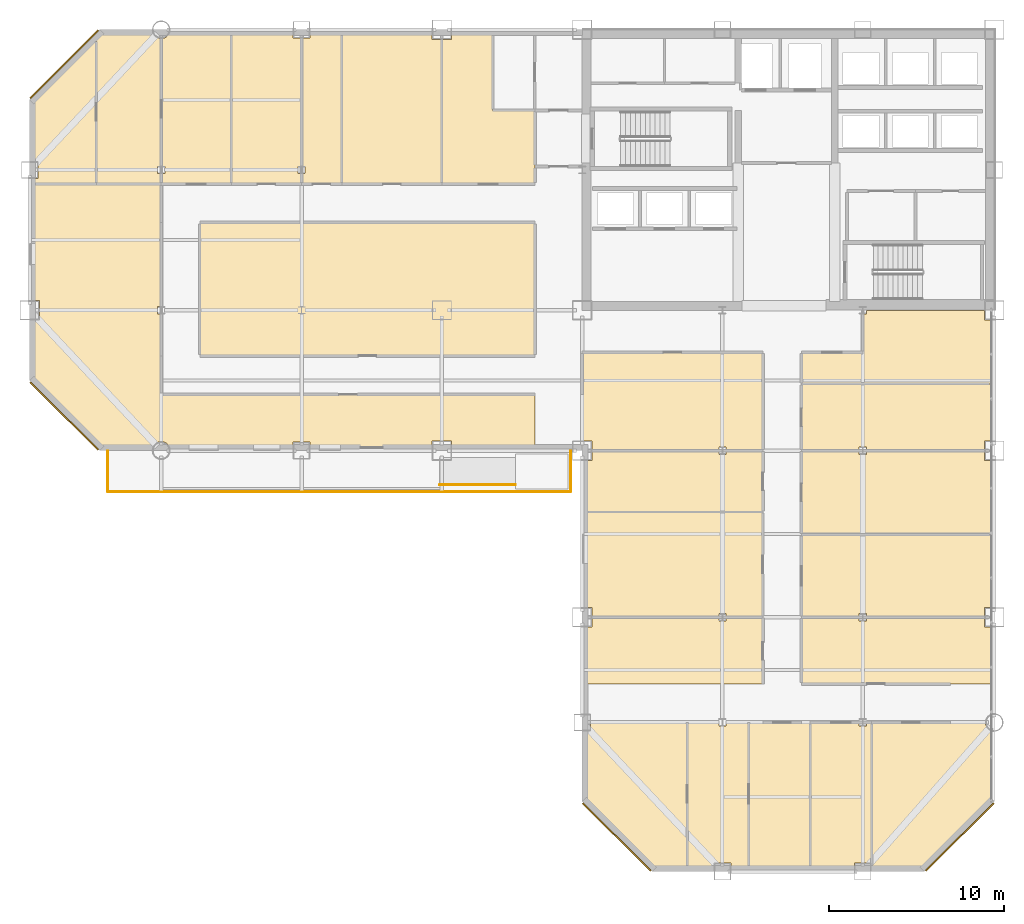
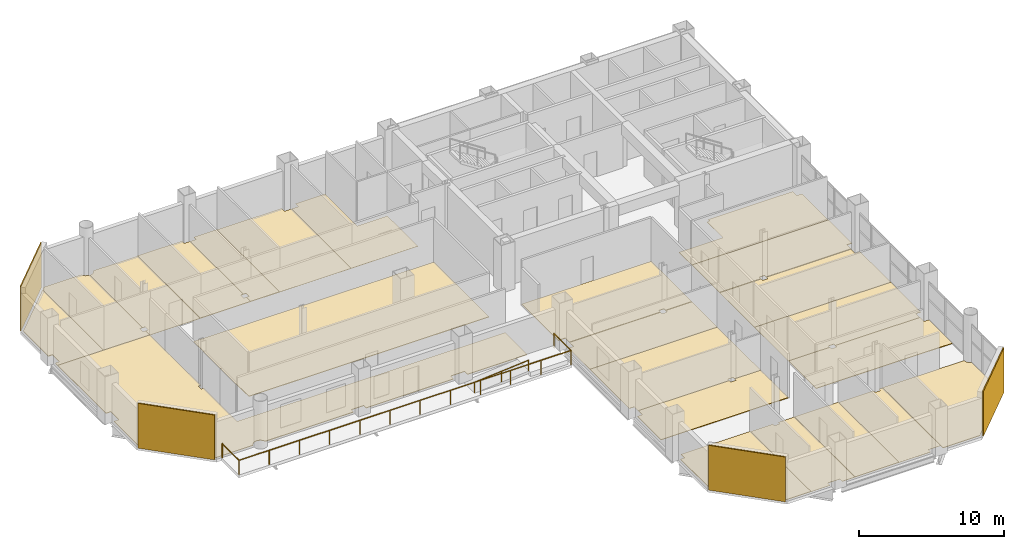
# One storey, part 15 of 16: 27 coverings, 2 railings.
"""IFC4 building model written with IfcOpenShell, lengths in metres."""

from ifc_helpers import new_model, si_unit, direction, frame, origin, origin_2d, place, context, subcontext, project, spatial, polyline, rectangle, circle, outline, extrude, material, layer, layer_set, type_object, element, save


model = new_model("IFC4")

# Units and contexts
model_context = context("Model", 3, precision=1e-05, world=origin(), true_north=direction((0.0, 1.0)))
body_context = subcontext(model_context, "Body", "Model", "MODEL_VIEW")
ifc_project = project(units=[si_unit("LENGTHUNIT", "METRE"), si_unit("AREAUNIT", "SQUARE_METRE"), si_unit("VOLUMEUNIT", "CUBIC_METRE"), si_unit("PLANEANGLEUNIT", "RADIAN"), si_unit("MASSUNIT", "GRAM", prefix="KILO")], contexts=[model_context])

# Site, building, storey
site_placement = place(None, origin())
site = spatial("IfcSite", under=ifc_project, at=site_placement, CompositionType="ELEMENT")
building_placement = place(site_placement, origin())
building = spatial("IfcBuilding", under=site, at=building_placement, Name="Qianrong Seaharbour Tower", CompositionType="ELEMENT")
storey_placement = place(building_placement, frame((0.0, 0.0, 119.0)))
storey = spatial("IfcBuildingStorey", under=building, at=storey_placement, Name="L28", CompositionType="ELEMENT", Elevation=119.0)

# Coverings
ifc_material_1 = material(Name="Unitised red brick cladding on Precast concrete C45/55", Category="masonry")
ifc_layer_1 = layer(ifc_material_1, 0.080078125)
ifc_layer_set_1 = layer_set([ifc_layer_1], Name="Unitised red brick cladding on Precast concrete C45/55")
covering_type_1 = type_object("IfcCoveringType", Name="COV-CLAD-RED-BRICK-80", PredefinedType="CLADDING", material=ifc_layer_set_1)
for number, where, z_axis, x_axis, name in (
    (1, (10.9716796875, 29.9716796875, 0.0), (0.0, 0.0, 1.0), (-0.707106781187, 0.707106781187, 0.0), "L28 Chamfer Corner Brick Cladding 02"),
    (2, (10.9716796875, 50.0283203125, 0.0), (0.0, 0.0, 1.0), (0.707106781187, 0.707106781187, 0.0), "L28 Chamfer Corner Brick Cladding 04"),
    (3, (62.0283203125, 5.9716796875, 0.0), (0.0, 0.0, 1.0), (-0.707106781187, -0.707106781187, 0.0), "L28 Chamfer Corner Brick Cladding 07"),
    (4, (42.4716796875, 5.9716796875, 0.0), (0.0, 0.0, 1.0), (-0.707106781187, 0.707106781187, 0.0), "L28 Chamfer Corner Brick Cladding 09"),
):
    element("IfcCovering", number, at=place(storey_placement, frame(where, z_axis=z_axis, x_axis=x_axis)), inside=storey, type_object=covering_type_1, Name=name, PredefinedType="CLADDING", context=body_context, shape_type="SweptSolid", body=[
        extrude(rectangle(XDim=5.456787109375, YDim=0.080078125, at=origin_2d()), origin(), (0.0, 0.0, 1.0), 3.764892578125),
    ])
ifc_material_2 = material(Name="Acoustic modular carpet tile flooring")
ifc_layer_2 = layer(ifc_material_2, 0.02001953125)
ifc_layer_set_2 = layer_set([ifc_layer_2], Name="Acoustic modular carpet tile flooring")
covering_type_2 = type_object("IfcCoveringType", Name="COV-FLOOR-CARPET-20", PredefinedType="FLOORING", material=ifc_layer_set_2)
covering_1_placement = place(storey_placement, origin())
element("IfcCovering", 5, at=covering_1_placement, inside=storey, type_object=covering_type_2, Name="L28 Focus Room 2 Finish Flooring", PredefinedType="FLOORING", context=body_context, shape_type="SweptSolid", body=[
    extrude(outline(polyline([(12.800048828125, 51.566650390625), (13.068359375, 51.8349609375), (16.019775390625, 51.8349609375), (16.02880859375, 51.8046875), (16.075927734375, 51.716796875), (16.139404296875, 51.639404296875), (16.216796875, 51.575927734375), (16.3046875, 51.52880859375), (16.400390625, 51.499755859375), (16.5, 51.489990234375), (16.5, 44.2099609375), (16.2900390625, 44.2099609375), (16.2900390625, 43.7900390625), (16.5, 43.7900390625), (16.5, 43.199951171875), (12.800048828125, 43.199951171875), (12.800048828125, 51.566650390625)])), origin(), (0.0, 0.0, 1.0), 0.02001953125),
])
covering_2_placement = place(storey_placement, origin())
element("IfcCovering", 6, at=covering_2_placement, inside=storey, type_object=covering_type_2, Name="L28 Meeting Room 3 Finish Flooring", PredefinedType="FLOORING", context=body_context, shape_type="SweptSolid", body=[
    extrude(outline(polyline([(16.5, 43.7900390625), (16.7099609375, 43.7900390625), (16.7099609375, 44.2099609375), (16.5, 44.2099609375), (16.5, 51.489990234375), (16.599609375, 51.499755859375), (16.6953125, 51.52880859375), (16.783203125, 51.575927734375), (16.860595703125, 51.639404296875), (16.924072265625, 51.716796875), (16.97119140625, 51.8046875), (16.980224609375, 51.8349609375), (20.5, 51.8349609375), (20.5, 43.199951171875), (16.5, 43.199951171875), (16.5, 43.7900390625)])), origin(), (0.0, 0.0, 1.0), 0.02001953125),
])
covering_3_placement = place(storey_placement, origin())
element("IfcCovering", 7, at=covering_3_placement, inside=storey, type_object=covering_type_2, Name="L28 Focus Room 6 Finish Flooring", PredefinedType="FLOORING", context=body_context, shape_type="SweptSolid", body=[
    extrude(outline(polyline([(26.800048828125, 51.8349609375), (31.93994140625, 51.8349609375), (31.93994140625, 51.43994140625), (32.5, 51.43994140625), (32.5, 43.199951171875), (26.800048828125, 43.199951171875), (26.800048828125, 51.8349609375)])), origin(), (0.0, 0.0, 1.0), 0.02001953125),
])
covering_4_placement = place(storey_placement, origin())
element("IfcCovering", 8, at=covering_4_placement, inside=storey, type_object=covering_type_2, Name="L28 Meeting Room 7 Finish Flooring", PredefinedType="FLOORING", context=body_context, shape_type="SweptSolid", body=[
    extrude(outline(polyline([(32.5, 51.43994140625), (33.06005859375, 51.43994140625), (33.06005859375, 51.8349609375), (35.39990234375, 51.8349609375), (35.39990234375, 47.39990234375), (37.800048828125, 47.39990234375), (37.800048828125, 43.199951171875), (32.5, 43.199951171875), (32.5, 51.43994140625)])), origin(), (0.0, 0.0, 1.0), 0.02001953125),
])
covering_5_placement = place(storey_placement, origin())
element("IfcCovering", 9, at=covering_5_placement, inside=storey, type_object=covering_type_2, Name="L28 Boardroom 2 Finish Flooring", PredefinedType="FLOORING", context=body_context, shape_type="SweptSolid", body=[
    extrude(outline(polyline([(63.8349609375, 23.199951171875), (63.8349609375, 19.06005859375), (63.43994140625, 19.06005859375), (63.43994140625, 18.5), (56.7099609375, 18.5), (56.7099609375, 18.7099609375), (56.2900390625, 18.7099609375), (56.2900390625, 18.5), (53.0, 18.5), (53.0, 23.199951171875), (63.8349609375, 23.199951171875)])), origin(), (0.0, 0.0, 1.0), 0.02001953125),
])
covering_6_placement = place(storey_placement, origin())
element("IfcCovering", 10, at=covering_6_placement, inside=storey, type_object=covering_type_2, Name="L28 Focus Room 3 Finish Flooring", PredefinedType="FLOORING", context=body_context, shape_type="SweptSolid", body=[
    extrude(outline(polyline([(56.2900390625, 28.0), (56.2900390625, 27.7900390625), (56.7099609375, 27.7900390625), (56.7099609375, 28.0), (63.43994140625, 28.0), (63.43994140625, 27.43994140625), (63.8349609375, 27.43994140625), (63.8349609375, 23.199951171875), (53.0, 23.199951171875), (53.0, 28.0), (56.2900390625, 28.0)])), origin(), (0.0, 0.0, 1.0), 0.02001953125),
])
covering_7_placement = place(storey_placement, origin())
element("IfcCovering", 11, at=covering_7_placement, inside=storey, type_object=covering_type_2, Name="L28 Boardroom 5 Finish Flooring", PredefinedType="FLOORING", context=body_context, shape_type="SweptSolid", body=[
    extrude(outline(polyline([(56.5, 33.60009765625), (56.5, 35.7900390625), (56.7099609375, 35.7900390625), (56.7099609375, 36.0), (63.43994140625, 36.0), (63.43994140625, 35.43994140625), (63.8349609375, 35.43994140625), (63.8349609375, 31.800048828125), (53.0, 31.800048828125), (53.0, 33.60009765625), (56.5, 33.60009765625)])), origin(), (0.0, 0.0, 1.0), 0.02001953125),
])
covering_8_placement = place(storey_placement, origin())
element("IfcCovering", 12, at=covering_8_placement, inside=storey, type_object=covering_type_2, Name="L28 Wet Pantry 2 Finish Flooring", PredefinedType="FLOORING", context=body_context, shape_type="SweptSolid", body=[
    extrude(outline(polyline([(48.7099609375, 18.5), (48.7099609375, 18.7099609375), (48.2900390625, 18.7099609375), (48.2900390625, 18.5), (41.06005859375, 18.5), (41.06005859375, 19.06005859375), (40.6650390625, 19.06005859375), (40.6650390625, 24.5), (50.800048828125, 24.5), (50.800048828125, 18.5), (48.7099609375, 18.5)])), origin(), (0.0, 0.0, 1.0), 0.02001953125),
])
covering_9_placement = place(storey_placement, origin())
element("IfcCovering", 13, at=covering_9_placement, inside=storey, type_object=covering_type_2, Name="L28 Focus Room 3 Finish Flooring", PredefinedType="FLOORING", context=body_context, shape_type="SweptSolid", body=[
    extrude(outline(polyline([(40.6650390625, 24.5), (40.6650390625, 27.43994140625), (41.06005859375, 27.43994140625), (41.06005859375, 28.0), (48.2900390625, 28.0), (48.2900390625, 27.7900390625), (48.7099609375, 27.7900390625), (48.7099609375, 28.0), (50.800048828125, 28.0), (50.800048828125, 24.5), (40.6650390625, 24.5)])), origin(), (0.0, 0.0, 1.0), 0.02001953125),
])
covering_10_placement = place(storey_placement, origin())
element("IfcCovering", 14, at=covering_10_placement, inside=storey, type_object=covering_type_2, Name="L28 Meeting Room 2 Finish Flooring", PredefinedType="FLOORING", context=body_context, shape_type="SweptSolid", body=[
    extrude(outline(polyline([(50.0, 4.1650390625), (48.985107421875, 4.1650390625), (48.985107421875, 4.485107421875), (48.014892578125, 4.485107421875), (48.014892578125, 4.1650390625), (46.5, 4.1650390625), (46.5, 12.5), (48.2900390625, 12.5), (48.2900390625, 12.2900390625), (48.7099609375, 12.2900390625), (48.7099609375, 12.5), (50.0, 12.5), (50.0, 4.1650390625)])), origin(), (0.0, 0.0, 1.0), 0.02001953125),
])
covering_11_placement = place(storey_placement, origin())
element("IfcCovering", 15, at=covering_11_placement, inside=storey, type_object=covering_type_2, Name="L28 Meeting Room 4 Finish Flooring", PredefinedType="FLOORING", context=body_context, shape_type="SweptSolid", body=[
    extrude(outline(polyline([(57.0, 4.485107421875), (56.014892578125, 4.485107421875), (56.014892578125, 4.1650390625), (53.5, 4.1650390625), (53.5, 12.5), (56.2900390625, 12.5), (56.2900390625, 12.2900390625), (56.7099609375, 12.2900390625), (56.7099609375, 12.5), (57.0, 12.5), (57.0, 4.485107421875)])), origin(), (0.0, 0.0, 1.0), 0.02001953125),
])
ifc_material_3 = material(Name="Calcium-sulphate raised access floor tile")
ifc_layer_3 = layer(ifc_material_3, 0.044921875)
ifc_layer_set_3 = layer_set([ifc_layer_3], Name="Calcium-sulphate raised access floor tile")
covering_type_3 = type_object("IfcCoveringType", Name="COV-FLOOR-RAISED-45", PredefinedType="FLOORING", material=ifc_layer_set_3)
covering_12_placement = place(storey_placement, origin())
element("IfcCovering", 16, at=covering_12_placement, inside=storey, type_object=covering_type_3, Name="L28 Open-Plan Office Finish Flooring", PredefinedType="FLOORING", context=body_context, shape_type="SweptSolid", body=[
    extrude(outline(polyline([(33.06005859375, 28.1650390625), (33.06005859375, 28.56005859375), (31.93994140625, 28.56005859375), (31.93994140625, 28.1650390625), (24.985107421875, 28.1650390625), (24.985107421875, 28.485107421875), (24.014892578125, 28.485107421875), (24.014892578125, 28.1650390625), (16.980224609375, 28.1650390625), (16.97119140625, 28.1953125), (16.924072265625, 28.283203125), (16.860595703125, 28.360595703125), (16.783203125, 28.424072265625), (16.6953125, 28.47119140625), (16.599609375, 28.500244140625), (16.5, 28.510009765625), (16.400390625, 28.500244140625), (16.3046875, 28.47119140625), (16.216796875, 28.424072265625), (16.139404296875, 28.360595703125), (16.075927734375, 28.283203125), (16.02880859375, 28.1953125), (16.019775390625, 28.1650390625), (13.068359375, 28.1650390625), (9.1650390625, 32.068359375), (9.1650390625, 35.43994140625), (9.56005859375, 35.43994140625), (9.56005859375, 36.56005859375), (9.1650390625, 36.56005859375), (9.1650390625, 43.199951171875), (16.5, 43.199951171875), (16.5, 36.2099609375), (16.2900390625, 36.2099609375), (16.2900390625, 35.7900390625), (16.5, 35.7900390625), (16.5, 31.199951171875), (37.800048828125, 31.199951171875), (37.800048828125, 28.1650390625), (33.06005859375, 28.1650390625)])), origin(), (0.0, 0.0, 1.0), 0.044921875),
])
covering_13_placement = place(storey_placement, origin())
element("IfcCovering", 17, at=covering_13_placement, inside=storey, type_object=covering_type_3, Name="L28 West Wing Open-Plan Office Finish Flooring", PredefinedType="FLOORING", context=body_context, shape_type="SweptSolid", body=[
    extrude(outline(polyline([(37.800048828125, 41.0), (37.800048828125, 33.39990234375), (18.699951171875, 33.39990234375), (18.699951171875, 41.0), (37.800048828125, 41.0)])), origin(), (0.0, 0.0, 1.0), 0.044921875),
])
covering_14_placement = place(storey_placement, origin())
element("IfcCovering", 18, at=covering_14_placement, inside=storey, type_object=covering_type_3, Name="L28 Executive Office 1 Finish Flooring", PredefinedType="FLOORING", context=body_context, shape_type="SweptSolid", body=[
    extrude(outline(polyline([(9.1650390625, 43.514892578125), (9.485107421875, 43.514892578125), (9.485107421875, 44.485107421875), (9.1650390625, 44.485107421875), (9.1650390625, 47.931640625), (12.800048828125, 51.566650390625), (12.800048828125, 43.199951171875), (9.1650390625, 43.199951171875), (9.1650390625, 43.514892578125)])), origin(), (0.0, 0.0, 1.0), 0.044921875),
])
covering_15_placement = place(storey_placement, origin())
element("IfcCovering", 19, at=covering_15_placement, inside=storey, type_object=covering_type_3, Name="L28 Executive Office 4 Finish Flooring", PredefinedType="FLOORING", context=body_context, shape_type="SweptSolid", body=[
    extrude(outline(polyline([(20.5, 51.8349609375), (24.014892578125, 51.8349609375), (24.014892578125, 51.514892578125), (24.5, 51.514892578125), (24.5, 44.2099609375), (24.2900390625, 44.2099609375), (24.2900390625, 43.7900390625), (24.5, 43.7900390625), (24.5, 43.199951171875), (20.5, 43.199951171875), (20.5, 51.8349609375)])), origin(), (0.0, 0.0, 1.0), 0.044921875),
])
covering_16_placement = place(storey_placement, origin())
element("IfcCovering", 20, at=covering_16_placement, inside=storey, type_object=covering_type_3, Name="L28 Executive Office 5 Finish Flooring", PredefinedType="FLOORING", context=body_context, shape_type="SweptSolid", body=[
    extrude(outline(polyline([(24.5, 43.7900390625), (24.7099609375, 43.7900390625), (24.7099609375, 44.2099609375), (24.5, 44.2099609375), (24.5, 51.514892578125), (24.985107421875, 51.514892578125), (24.985107421875, 51.8349609375), (26.800048828125, 51.8349609375), (26.800048828125, 43.199951171875), (24.5, 43.199951171875), (24.5, 43.7900390625)])), origin(), (0.0, 0.0, 1.0), 0.044921875),
])
covering_17_placement = place(storey_placement, origin())
element("IfcCovering", 21, at=covering_17_placement, inside=storey, type_object=covering_type_3, Name="L28 Executive Office 1 Finish Flooring", PredefinedType="FLOORING", context=body_context, shape_type="SweptSolid", body=[
    extrude(outline(polyline([(56.2900390625, 18.5), (56.2900390625, 18.2900390625), (56.7099609375, 18.2900390625), (56.7099609375, 18.5), (63.43994140625, 18.5), (63.43994140625, 17.93994140625), (63.8349609375, 17.93994140625), (63.8349609375, 14.699951171875), (53.0, 14.699951171875), (53.0, 18.5), (56.2900390625, 18.5)])), origin(), (0.0, 0.0, 1.0), 0.044921875),
])
covering_18_placement = place(storey_placement, origin())
element("IfcCovering", 22, at=covering_18_placement, inside=storey, type_object=covering_type_3, Name="L28 Executive Office 4 Finish Flooring", PredefinedType="FLOORING", context=body_context, shape_type="SweptSolid", body=[
    extrude(outline(polyline([(63.8349609375, 31.800048828125), (63.8349609375, 28.56005859375), (63.43994140625, 28.56005859375), (63.43994140625, 28.0), (56.7099609375, 28.0), (56.7099609375, 28.2099609375), (56.2900390625, 28.2099609375), (56.2900390625, 28.0), (53.0, 28.0), (53.0, 31.800048828125), (63.8349609375, 31.800048828125)])), origin(), (0.0, 0.0, 1.0), 0.044921875),
])
covering_19_placement = place(storey_placement, origin())
element("IfcCovering", 23, at=covering_19_placement, inside=storey, type_object=covering_type_3, Name="L28 Executive Office 1 Finish Flooring", PredefinedType="FLOORING", context=body_context, shape_type="SweptSolid", body=[
    extrude(outline(polyline([(40.6650390625, 14.699951171875), (40.6650390625, 17.93994140625), (41.06005859375, 17.93994140625), (41.06005859375, 18.5), (48.2900390625, 18.5), (48.2900390625, 18.2900390625), (48.7099609375, 18.2900390625), (48.7099609375, 18.5), (50.800048828125, 18.5), (50.800048828125, 14.699951171875), (40.6650390625, 14.699951171875)])), origin(), (0.0, 0.0, 1.0), 0.044921875),
])
covering_20_placement = place(storey_placement, origin())
element("IfcCovering", 24, at=covering_20_placement, inside=storey, type_object=covering_type_3, Name="L28 Executive Office 4 Finish Flooring", PredefinedType="FLOORING", context=body_context, shape_type="SweptSolid", body=[
    extrude(outline(polyline([(50.800048828125, 28.0), (48.7099609375, 28.0), (48.7099609375, 28.2099609375), (48.2900390625, 28.2099609375), (48.2900390625, 28.0), (41.06005859375, 28.0), (41.06005859375, 28.56005859375), (40.5, 28.56005859375), (40.5, 33.60009765625), (50.800048828125, 33.60009765625), (50.800048828125, 28.0)])), origin(), (0.0, 0.0, 1.0), 0.044921875),
])
covering_21_placement = place(storey_placement, origin())
element("IfcCovering", 25, at=covering_21_placement, inside=storey, type_object=covering_type_3, Name="L28 Executive Office 1 Finish Flooring", PredefinedType="FLOORING", context=body_context, shape_type="SweptSolid", body=[
    extrude(outline(polyline([(44.568359375, 4.1650390625), (40.6650390625, 8.068359375), (40.6650390625, 12.014892578125), (40.985107421875, 12.014892578125), (40.985107421875, 12.5), (46.5, 12.5), (46.5, 4.1650390625), (44.568359375, 4.1650390625)])), origin(), (0.0, 0.0, 1.0), 0.044921875),
])
covering_22_placement = place(storey_placement, origin())
element("IfcCovering", 26, at=covering_22_placement, inside=storey, type_object=covering_type_3, Name="L28 Executive Office 3 Finish Flooring", PredefinedType="FLOORING", context=body_context, shape_type="SweptSolid", body=[
    extrude(outline(polyline([(53.5, 4.1650390625), (50.0, 4.1650390625), (50.0, 12.5), (53.5, 12.5), (53.5, 4.1650390625)])), origin(), (0.0, 0.0, 1.0), 0.044921875),
])
covering_23_placement = place(storey_placement, origin())
element("IfcCovering", 27, at=covering_23_placement, inside=storey, type_object=covering_type_3, Name="L28 Executive Office 5 Finish Flooring", PredefinedType="FLOORING", context=body_context, shape_type="SweptSolid", body=[
    extrude(outline(polyline([(63.8349609375, 8.068359375), (59.931640625, 4.1650390625), (57.0, 4.1650390625), (57.0, 12.5), (63.489990234375, 12.5), (63.499755859375, 12.400390625), (63.52880859375, 12.3046875), (63.575927734375, 12.216796875), (63.639404296875, 12.139404296875), (63.716796875, 12.075927734375), (63.8046875, 12.02880859375), (63.8349609375, 12.019775390625), (63.8349609375, 8.068359375)])), origin(), (0.0, 0.0, 1.0), 0.044921875),
])

# Railings
ifc_material_4 = material(Name="Stainless steel SUS316L tubular handrail", Category="steel")
railing_type_1 = type_object("IfcRailingType", Name="RAIL-RAMP-HANDRAIL-900", PredefinedType="HANDRAIL", material=ifc_material_4)
railing_1_placement = place(storey_placement, frame((32.3798828125, 26.050048828125, 0.0)))
element("IfcRailing", 28, at=railing_1_placement, inside=storey, type_object=railing_type_1, Name="L28 Harbourfront Ribbon Ramp Handrail", PredefinedType="HANDRAIL", context=body_context, shape_type="SweptSolid", body=[
    extrude(circle(Radius=0.02392578125, at=origin_2d()), frame((0.0, 0.0, 0.8759765625), z_axis=(0.996543815979, 0.0, 0.083068783756), x_axis=(0.0, 1.0, 0.0)), (0.0, 0.0, 1.0), 4.3349609375),
    extrude(circle(Radius=0.02099609375, at=origin_2d()), origin(), (0.0, 0.0, 1.0), 0.851806640625),
    extrude(circle(Radius=0.02099609375, at=origin_2d()), frame((2.16015625, 0.0, 0.18017578125)), (0.0, 0.0, 1.0), 0.851806640625),
    extrude(circle(Radius=0.02099609375, at=origin_2d()), frame((4.320068359375, 0.0, 0.360107421875)), (0.0, 0.0, 1.0), 0.851806640625),
])
ifc_material_5 = material(Name="Stainless steel SUS316L and laminated safety glass balustrade", Category="steel")
railing_type_2 = type_object("IfcRailingType", Name="RAIL-TERRACE-GUARD-1220", PredefinedType="GUARDRAIL", material=ifc_material_5)
railing_2_placement = place(storey_placement, frame((13.4599609375, 27.97998046875, 0.0)))
element("IfcRailing", 29, at=railing_2_placement, inside=storey, type_object=railing_type_2, Name="L28 Harbourfront Ribbon Gallery Guardrail", PredefinedType="GUARDRAIL", context=body_context, shape_type="SweptSolid", body=[
    extrude(circle(Radius=0.02392578125, at=origin_2d()), frame((0.0, 0.0, 1.19580078125), z_axis=(0.0, -1.0, 0.0), x_axis=(1.0, 0.0, 0.0)), (0.0, 0.0, 1.0), 2.320068359375),
    extrude(circle(Radius=0.02392578125, at=origin_2d()), frame((0.0, -2.320068359375, 1.19580078125), z_axis=(1.0, 0.0, 0.0), x_axis=(0.0, 1.0, 0.0)), (0.0, 0.0, 1.0), 26.380126953125),
    extrude(circle(Radius=0.02392578125, at=origin_2d()), frame((26.380126953125, -2.320068359375, 1.19580078125), z_axis=(0.0, 1.0, 0.0), x_axis=(-1.0, 0.0, 0.0)), (0.0, 0.0, 1.0), 2.320068359375),
    extrude(circle(Radius=0.02099609375, at=origin_2d()), origin(), (0.0, 0.0, 1.0), 1.171875),
    extrude(circle(Radius=0.02099609375, at=origin_2d()), frame((0.0, -2.320068359375, 0.0)), (0.0, 0.0, 1.0), 1.171875),
    extrude(circle(Radius=0.02099609375, at=origin_2d()), frame((2.398193359375, -2.320068359375, 0.0)), (0.0, 0.0, 1.0), 1.171875),
    extrude(circle(Radius=0.02099609375, at=origin_2d()), frame((4.79638671875, -2.320068359375, 0.0)), (0.0, 0.0, 1.0), 1.171875),
    extrude(circle(Radius=0.02099609375, at=origin_2d()), frame((7.194580078125, -2.320068359375, 0.0)), (0.0, 0.0, 1.0), 1.171875),
    extrude(circle(Radius=0.02099609375, at=origin_2d()), frame((9.5927734375, -2.320068359375, 0.0)), (0.0, 0.0, 1.0), 1.171875),
    extrude(circle(Radius=0.02099609375, at=origin_2d()), frame((11.990966796875, -2.320068359375, 0.0)), (0.0, 0.0, 1.0), 1.171875),
    extrude(circle(Radius=0.02099609375, at=origin_2d()), frame((14.38916015625, -2.320068359375, 0.0)), (0.0, 0.0, 1.0), 1.171875),
    extrude(circle(Radius=0.02099609375, at=origin_2d()), frame((16.787353515625, -2.320068359375, 0.0)), (0.0, 0.0, 1.0), 1.171875),
    extrude(circle(Radius=0.02099609375, at=origin_2d()), frame((19.185546875, -2.320068359375, 0.0)), (0.0, 0.0, 1.0), 1.171875),
    extrude(circle(Radius=0.02099609375, at=origin_2d()), frame((21.583740234375, -2.320068359375, 0.0)), (0.0, 0.0, 1.0), 1.171875),
    extrude(circle(Radius=0.02099609375, at=origin_2d()), frame((23.98193359375, -2.320068359375, 0.0)), (0.0, 0.0, 1.0), 1.171875),
    extrude(circle(Radius=0.02099609375, at=origin_2d()), frame((26.380126953125, -2.320068359375, 0.0)), (0.0, 0.0, 1.0), 1.171875),
    extrude(circle(Radius=0.02099609375, at=origin_2d()), frame((26.380126953125, 0.0, 0.0)), (0.0, 0.0, 1.0), 1.171875),
])

save(model, "model.ifc")
